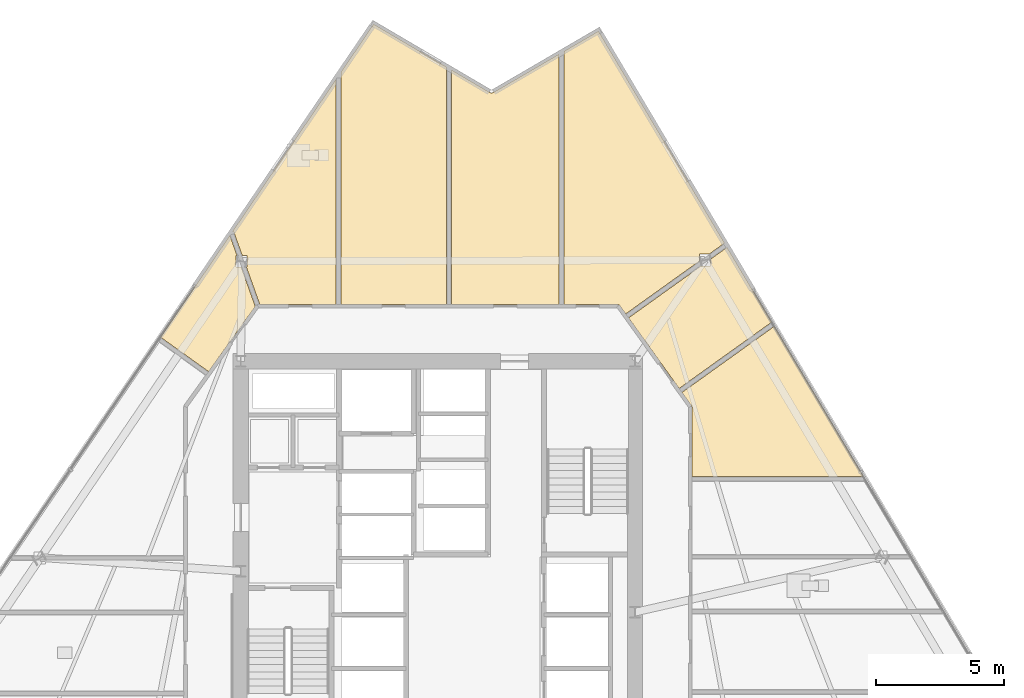
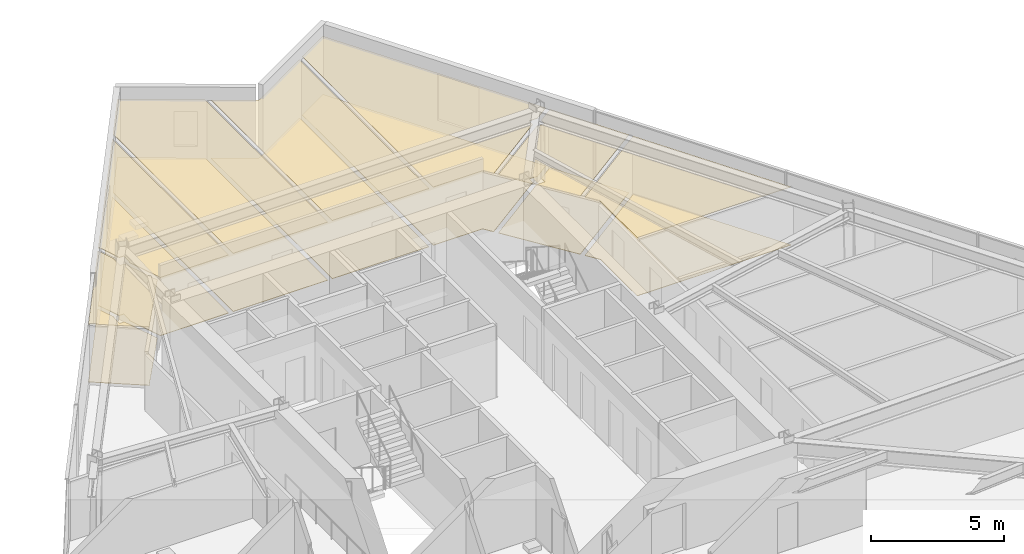
# One storey, part 16 of 17: 14 coverings.
"""IFC4 building model written with IfcOpenShell, lengths in metres."""

from ifc_helpers import new_model, si_unit, direction, frame, origin, place, context, subcontext, project, spatial, polyline, outline, extrude, material, layer, layer_set, type_object, element, save


model = new_model("IFC4")

# Units and contexts
model_context = context("Model", 3, precision=1e-05, world=origin(), true_north=direction((0.0, 1.0)))
body_context = subcontext(model_context, "Body", "Model", "MODEL_VIEW")
ifc_project = project(units=[si_unit("LENGTHUNIT", "METRE"), si_unit("AREAUNIT", "SQUARE_METRE"), si_unit("VOLUMEUNIT", "CUBIC_METRE"), si_unit("PLANEANGLEUNIT", "RADIAN"), si_unit("MASSUNIT", "GRAM", prefix="KILO")], contexts=[model_context])

# Site, building, storey
site_placement = place(None, origin())
site = spatial("IfcSite", under=ifc_project, at=site_placement, CompositionType="ELEMENT")
building_placement = place(site_placement, origin())
building = spatial("IfcBuilding", under=site, at=building_placement, Name="Savorim Split Tower", CompositionType="ELEMENT")
storey_placement = place(building_placement, frame((0.0, 0.0, 62.39990234375)))
storey = spatial("IfcBuildingStorey", under=building, at=storey_placement, Name="L16", CompositionType="ELEMENT", Elevation=62.39990234375)

# Coverings
ifc_material_1 = material(Name="Mineral Fibre Acoustic Ceiling")
ifc_layer_1 = layer(ifc_material_1, 0.02490234375)
ifc_layer_set_1 = layer_set([ifc_layer_1], Name="COV-CEIL-25")
covering_type_1 = type_object("IfcCoveringType", Name="COV-CEIL-25", PredefinedType="CEILING", material=ifc_layer_set_1)
covering_1_placement = place(storey_placement, frame((0.0, 0.0, 2.670166015625)))
element("IfcCovering", 1, at=covering_1_placement, inside=storey, type_object=covering_type_1, Name="L16 Co-Living Bedroom Acoustic Ceiling", PredefinedType="CEILING", context=body_context, shape_type="SweptSolid", body=[
    extrude(outline(polyline([(9.9169921875, 8.4287109375), (9.919189453125, 8.41455078125), (9.919921875, 8.39990234375), (9.919921875, 5.69482421875), (16.621337890625, 5.69482421875), (13.133544921875, 11.560302734375), (9.53515625, 8.982177734375), (9.893798828125, 8.4814453125), (9.901611328125, 8.46923828125), (9.908203125, 8.456298828125), (9.913330078125, 8.44287109375), (9.9169921875, 8.4287109375)])), origin(), (0.0, 0.0, 1.0), 0.02490234375),
])
covering_2_placement = place(storey_placement, frame((0.0, 0.0, 2.670166015625)))
element("IfcCovering", 2, at=covering_2_placement, inside=storey, type_object=covering_type_1, Name="L16 Maker Workshop Acoustic Ceiling", PredefinedType="CEILING", context=body_context, shape_type="SweptSolid", body=[
    extrude(outline(polyline([(10.657958984375, 13.927001953125), (10.28759765625, 13.927001953125), (7.44921875, 11.893310546875), (9.424560546875, 9.136474609375), (13.0361328125, 11.724365234375), (11.29638671875, 14.64990234375), (10.657958984375, 14.1923828125), (10.657958984375, 13.927001953125)])), origin(), (0.0, 0.0, 1.0), 0.02490234375),
])
covering_3_placement = place(storey_placement, frame((0.0, 0.0, 2.670166015625)))
element("IfcCovering", 3, at=covering_3_placement, inside=storey, type_object=covering_type_1, Name="L16 Maker Workshop Acoustic Ceiling", PredefinedType="CEILING", context=body_context, shape_type="SweptSolid", body=[
    extrude(outline(polyline([(11.151611328125, 14.77978515625), (11.19921875, 14.813720703125), (6.276123046875, 23.093017578125), (4.9296875, 22.30810546875), (4.9296875, 12.419921875), (7.0, 12.419921875), (7.01318359375, 12.41943359375), (7.0263671875, 12.41748046875), (7.039306640625, 12.414306640625), (7.052001953125, 12.409912109375), (7.06396484375, 12.404541015625), (7.075439453125, 12.39794921875), (7.086181640625, 12.39013671875), (7.096435546875, 12.381591796875), (7.105712890625, 12.3720703125), (7.11376953125, 12.361572265625), (7.338623046875, 12.0478515625), (10.225830078125, 14.116455078125), (10.225830078125, 14.3818359375), (10.59619140625, 14.3818359375), (11.151611328125, 14.77978515625)])), origin(), (0.0, 0.0, 1.0), 0.02490234375),
])
covering_4_placement = place(storey_placement, frame((0.0, 0.0, 2.670166015625)))
element("IfcCovering", 4, at=covering_4_placement, inside=storey, type_object=covering_type_1, Name="L16 Quiet Study Room Acoustic Ceiling", PredefinedType="CEILING", context=body_context, shape_type="SweptSolid", body=[
    extrude(outline(polyline([(2.05859375, 20.683837890625), (2.0478515625, 20.688232421875), (2.03759765625, 20.693603515625), (0.528564453125, 21.58056640625), (0.528564453125, 12.419921875), (4.73974609375, 12.419921875), (4.73974609375, 22.197509765625), (2.15869140625, 20.693359375), (2.148681640625, 20.68798828125), (2.137939453125, 20.68359375), (2.126708984375, 20.680419921875), (2.115478515625, 20.67822265625), (2.10400390625, 20.677001953125), (2.09228515625, 20.677001953125), (2.080810546875, 20.67822265625), (2.069580078125, 20.680419921875), (2.05859375, 20.683837890625)])), origin(), (0.0, 0.0, 1.0), 0.02490234375),
])
covering_5_placement = place(storey_placement, frame((0.0, 0.0, 2.670166015625)))
element("IfcCovering", 5, at=covering_5_placement, inside=storey, type_object=covering_type_1, Name="L16 Maker Workshop Acoustic Ceiling", PredefinedType="CEILING", context=body_context, shape_type="SweptSolid", body=[
    extrude(outline(polyline([(-3.788818359375, 12.419921875), (0.33837890625, 12.419921875), (0.33837890625, 21.692138671875), (-2.510009765625, 23.3662109375), (-3.788818359375, 21.486083984375), (-3.788818359375, 12.419921875)])), origin(), (0.0, 0.0, 1.0), 0.02490234375),
])
covering_6_placement = place(storey_placement, frame((0.0, 0.0, 2.670166015625)))
element("IfcCovering", 6, at=covering_6_placement, inside=storey, type_object=covering_type_1, Name="L16 Shared Bathroom Acoustic Ceiling", PredefinedType="CEILING", context=body_context, shape_type="SweptSolid", body=[
    extrude(outline(polyline([(-7.477294921875, 13.878173828125), (-6.96240234375, 12.44189453125), (-6.95458984375, 12.419921875), (-3.97900390625, 12.419921875), (-3.97900390625, 21.206787109375), (-8.025146484375, 15.2587890625), (-7.978515625, 15.275634765625), (-7.640625, 14.3330078125), (-7.44384765625, 14.3330078125), (-7.44384765625, 13.878173828125), (-7.477294921875, 13.878173828125)])), origin(), (0.0, 0.0, 1.0), 0.02490234375),
])
covering_7_placement = place(storey_placement, frame((0.0, 0.0, 2.670166015625)))
element("IfcCovering", 7, at=covering_7_placement, inside=storey, type_object=covering_type_1, Name="L16 Co-Working Commons Acoustic Ceiling", PredefinedType="CEILING", context=body_context, shape_type="SweptSolid", body=[
    extrude(outline(polyline([(-10.82763671875, 11.138916015625), (-8.952392578125, 9.79541015625), (-7.128173828125, 12.34130859375), (-7.67919921875, 13.878173828125), (-7.8759765625, 13.878173828125), (-7.8759765625, 14.3330078125), (-7.84228515625, 14.3330078125), (-8.122802734375, 15.115234375), (-10.82763671875, 11.138916015625)])), origin(), (0.0, 0.0, 1.0), 0.02490234375),
])
ifc_material_2 = material(Name="Porcelain Stoneware Flooring", Category="masonry")
ifc_layer_2 = layer(ifc_material_2, 0.02001953125)
ifc_layer_set_2 = layer_set([ifc_layer_2], Name="COV-FLOR-20")
covering_type_2 = type_object("IfcCoveringType", Name="COV-FLOR-20", PredefinedType="FLOORING", material=ifc_layer_set_2)
covering_8_placement = place(storey_placement, origin())
element("IfcCovering", 8, at=covering_8_placement, inside=storey, type_object=covering_type_2, Name="L16 Co-Living Bedroom Porcelain Flooring", PredefinedType="FLOORING", context=body_context, shape_type="SweptSolid", body=[
    extrude(outline(polyline([(9.9169921875, 8.4287109375), (9.919189453125, 8.41455078125), (9.919921875, 8.39990234375), (9.919921875, 5.69482421875), (16.621337890625, 5.69482421875), (13.133544921875, 11.560302734375), (9.53515625, 8.982177734375), (9.893798828125, 8.4814453125), (9.901611328125, 8.46923828125), (9.908203125, 8.456298828125), (9.913330078125, 8.44287109375), (9.9169921875, 8.4287109375)])), origin(), (0.0, 0.0, 1.0), 0.02001953125),
])
covering_9_placement = place(storey_placement, origin())
element("IfcCovering", 9, at=covering_9_placement, inside=storey, type_object=covering_type_2, Name="L16 Maker Workshop Porcelain Flooring", PredefinedType="FLOORING", context=body_context, shape_type="SweptSolid", body=[
    extrude(outline(polyline([(10.657958984375, 13.927001953125), (10.28759765625, 13.927001953125), (7.44921875, 11.893310546875), (9.424560546875, 9.136474609375), (13.0361328125, 11.724365234375), (11.29638671875, 14.64990234375), (10.657958984375, 14.1923828125), (10.657958984375, 13.927001953125)])), origin(), (0.0, 0.0, 1.0), 0.02001953125),
])
covering_10_placement = place(storey_placement, origin())
element("IfcCovering", 10, at=covering_10_placement, inside=storey, type_object=covering_type_2, Name="L16 Maker Workshop Porcelain Flooring", PredefinedType="FLOORING", context=body_context, shape_type="SweptSolid", body=[
    extrude(outline(polyline([(11.151611328125, 14.77978515625), (11.19921875, 14.813720703125), (6.276123046875, 23.093017578125), (4.9296875, 22.30810546875), (4.9296875, 12.419921875), (7.0, 12.419921875), (7.01318359375, 12.41943359375), (7.0263671875, 12.41748046875), (7.039306640625, 12.414306640625), (7.052001953125, 12.409912109375), (7.06396484375, 12.404541015625), (7.075439453125, 12.39794921875), (7.086181640625, 12.39013671875), (7.096435546875, 12.381591796875), (7.105712890625, 12.3720703125), (7.11376953125, 12.361572265625), (7.338623046875, 12.0478515625), (10.225830078125, 14.116455078125), (10.225830078125, 14.3818359375), (10.59619140625, 14.3818359375), (11.151611328125, 14.77978515625)])), origin(), (0.0, 0.0, 1.0), 0.02001953125),
])
covering_11_placement = place(storey_placement, origin())
element("IfcCovering", 11, at=covering_11_placement, inside=storey, type_object=covering_type_2, Name="L16 Quiet Study Room Porcelain Flooring", PredefinedType="FLOORING", context=body_context, shape_type="SweptSolid", body=[
    extrude(outline(polyline([(2.05859375, 20.683837890625), (2.0478515625, 20.688232421875), (2.03759765625, 20.693603515625), (0.528564453125, 21.58056640625), (0.528564453125, 12.419921875), (4.73974609375, 12.419921875), (4.73974609375, 22.197509765625), (2.15869140625, 20.693359375), (2.148681640625, 20.68798828125), (2.137939453125, 20.68359375), (2.126708984375, 20.680419921875), (2.115478515625, 20.67822265625), (2.10400390625, 20.677001953125), (2.09228515625, 20.677001953125), (2.080810546875, 20.67822265625), (2.069580078125, 20.680419921875), (2.05859375, 20.683837890625)])), origin(), (0.0, 0.0, 1.0), 0.02001953125),
])
covering_12_placement = place(storey_placement, origin())
element("IfcCovering", 12, at=covering_12_placement, inside=storey, type_object=covering_type_2, Name="L16 Maker Workshop Porcelain Flooring", PredefinedType="FLOORING", context=body_context, shape_type="SweptSolid", body=[
    extrude(outline(polyline([(-3.788818359375, 12.419921875), (0.33837890625, 12.419921875), (0.33837890625, 21.692138671875), (-2.510009765625, 23.3662109375), (-3.788818359375, 21.486083984375), (-3.788818359375, 12.419921875)])), origin(), (0.0, 0.0, 1.0), 0.02001953125),
])
covering_13_placement = place(storey_placement, origin())
element("IfcCovering", 13, at=covering_13_placement, inside=storey, type_object=covering_type_2, Name="L16 Shared Bathroom Porcelain Flooring", PredefinedType="FLOORING", context=body_context, shape_type="SweptSolid", body=[
    extrude(outline(polyline([(-7.477294921875, 13.878173828125), (-6.96240234375, 12.44189453125), (-6.95458984375, 12.419921875), (-3.97900390625, 12.419921875), (-3.97900390625, 21.206787109375), (-8.025146484375, 15.2587890625), (-7.978515625, 15.275634765625), (-7.640625, 14.3330078125), (-7.44384765625, 14.3330078125), (-7.44384765625, 13.878173828125), (-7.477294921875, 13.878173828125)])), origin(), (0.0, 0.0, 1.0), 0.02001953125),
])
covering_14_placement = place(storey_placement, origin())
element("IfcCovering", 14, at=covering_14_placement, inside=storey, type_object=covering_type_2, Name="L16 Co-Working Commons Porcelain Flooring", PredefinedType="FLOORING", context=body_context, shape_type="SweptSolid", body=[
    extrude(outline(polyline([(-10.82763671875, 11.138916015625), (-8.952392578125, 9.79541015625), (-7.128173828125, 12.34130859375), (-7.67919921875, 13.878173828125), (-7.8759765625, 13.878173828125), (-7.8759765625, 14.3330078125), (-7.84228515625, 14.3330078125), (-8.122802734375, 15.115234375), (-10.82763671875, 11.138916015625)])), origin(), (0.0, 0.0, 1.0), 0.02001953125),
])

save(model, "model.ifc")
